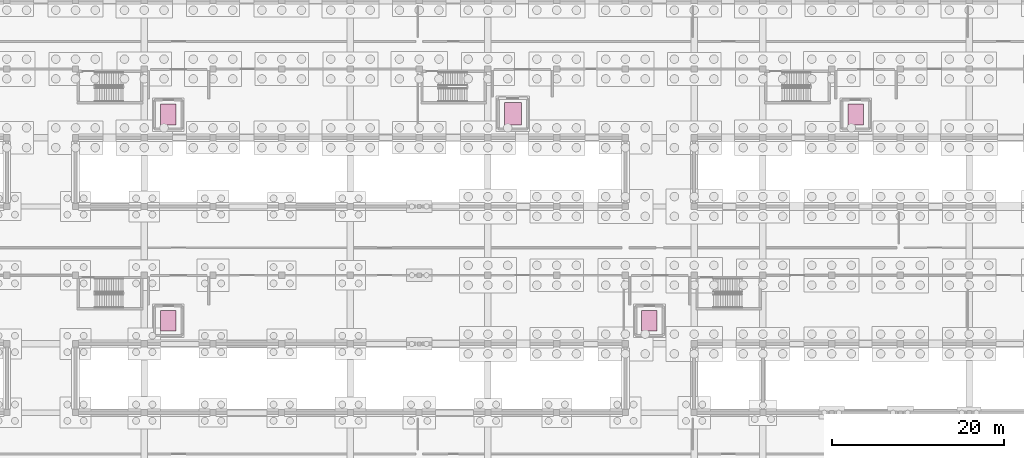
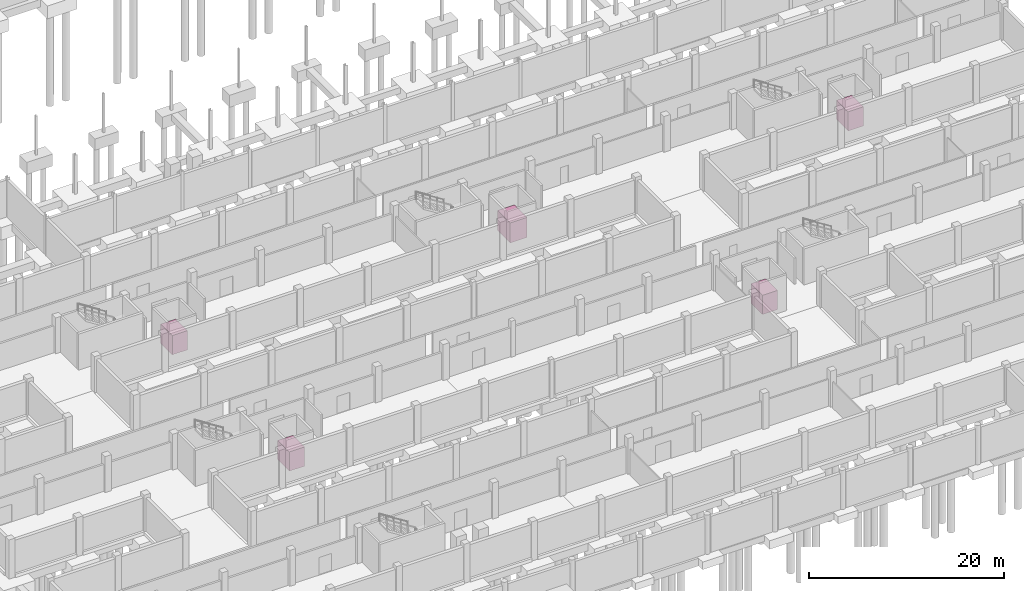
# One storey, part 51 of 51: 5 transport elements.
"""IFC4 building model written with IfcOpenShell, lengths in metres."""

from ifc_helpers import new_model, si_unit, direction, frame, origin, origin_2d, place, context, subcontext, project, spatial, rectangle, extrude, material, type_object, element, save


model = new_model("IFC4")

# Units and contexts
model_context = context("Model", 3, precision=1e-05, world=origin(), true_north=direction((0.0, 1.0)))
body_context = subcontext(model_context, "Body", "Model", "MODEL_VIEW")
ifc_project = project(units=[si_unit("LENGTHUNIT", "METRE"), si_unit("AREAUNIT", "SQUARE_METRE"), si_unit("VOLUMEUNIT", "CUBIC_METRE"), si_unit("PLANEANGLEUNIT", "RADIAN"), si_unit("MASSUNIT", "GRAM", prefix="KILO")], contexts=[model_context])

# Site, building, storey
site_placement = place(None, origin())
site = spatial("IfcSite", under=ifc_project, at=site_placement, CompositionType="ELEMENT")
building_placement = place(site_placement, origin())
building = spatial("IfcBuilding", under=site, at=building_placement, Name="Jelvoka-Kovrelna Polytechnic", CompositionType="ELEMENT")
storey_placement = place(building_placement, frame((0.0, 0.0, -4.5)))
storey = spatial("IfcBuildingStorey", under=building, at=storey_placement, Name="B01", CompositionType="ELEMENT", Elevation=-4.5)

# Transport elements
ifc_material_1 = material(Name="Heavy-duty stainless steel goods lift car", Category="steel")
transport_element_type_1 = type_object("IfcTransportElementType", Name="Lift_Goods_2000x2600", PredefinedType="ELEVATOR", material=ifc_material_1)
transport_element_placement = place(storey_placement, frame((130.89990234375, 58.800048828125, 0.0), z_axis=(0.0, 0.0, 1.0), x_axis=(1.0, 0.0, 0.0)))
element("IfcTransportElement", 1, at=transport_element_placement, inside=storey, type_object=transport_element_type_1, Name="Elevator car LF-G2", PredefinedType="ELEVATOR", context=body_context, shape_type="SweptSolid", body=[
    extrude(rectangle(XDim=2.0, YDim=2.60009765625, at=origin_2d()), origin(), (0.0, 0.0, 1.0), 2.5),
])
ifc_material_2 = material(Name="Brushed stainless steel lift car", Category="steel")
transport_element_type_2 = type_object("IfcTransportElementType", Name="Lift_Passenger_1800x2400", PredefinedType="ELEVATOR", material=ifc_material_2)
for number, where, z_axis, x_axis, name in (
    (2, (90.800048828125, 58.699951171875, 0.0), (0.0, 0.0, 1.0), (1.0, 0.0, 0.0), "Elevator car LF-FF1"),
    (3, (170.800048828125, 58.699951171875, 0.0), (0.0, 0.0, 1.0), (1.0, 0.0, 0.0), "Elevator car LF-FF2"),
    (4, (90.800048828125, 34.699951171875, 0.0), (0.0, 0.0, 1.0), (1.0, 0.0, 0.0), "Elevator car LF-P1"),
    (5, (146.800048828125, 34.699951171875, 0.0), (0.0, 0.0, 1.0), (1.0, 0.0, 0.0), "Elevator car LF-P2"),
):
    element("IfcTransportElement", number, at=place(storey_placement, frame(where, z_axis=z_axis, x_axis=x_axis)), inside=storey, type_object=transport_element_type_2, Name=name, PredefinedType="ELEVATOR", context=body_context, shape_type="SweptSolid", body=[
        extrude(rectangle(XDim=1.800048828125, YDim=2.39990234375, at=origin_2d()), origin(), (0.0, 0.0, 1.0), 2.39990234375),
    ])

save(model, "model.ifc")
